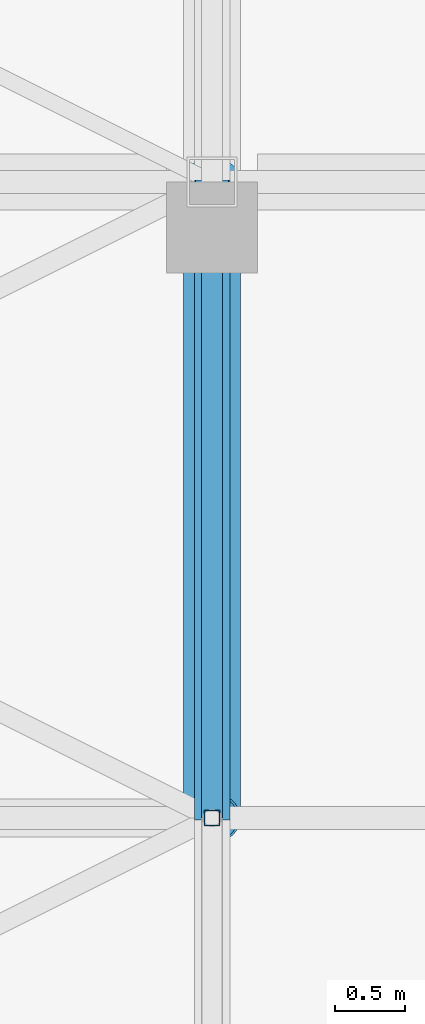
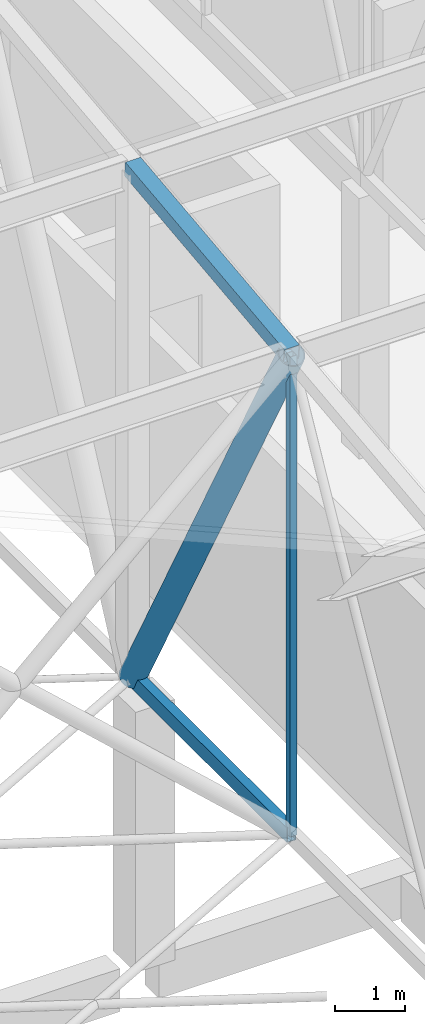
# One storey, part 112 of 500: 4 members.
"""IFC4 building model written with IfcOpenShell, lengths in metres."""

from ifc_helpers import new_model, si_unit, direction, frame, origin, origin_2d, place, context, subcontext, project, spatial, hollow_rectangle, hollow_circle, extrude, material, material_profile, profile_set, type_object, element, save


model = new_model("IFC4")

# Units and contexts
model_context = context("Model", 3, precision=1e-05, world=origin(), true_north=direction((0.0, 1.0)))
body_context = subcontext(model_context, "Body", "Model", "MODEL_VIEW")
ifc_project = project(units=[si_unit("LENGTHUNIT", "METRE"), si_unit("AREAUNIT", "SQUARE_METRE"), si_unit("VOLUMEUNIT", "CUBIC_METRE"), si_unit("PLANEANGLEUNIT", "RADIAN"), si_unit("MASSUNIT", "GRAM", prefix="KILO")], contexts=[model_context])

# Site, building, storey
site_placement = place(None, origin())
site = spatial("IfcSite", under=ifc_project, at=site_placement, CompositionType="ELEMENT")
building_placement = place(site_placement, origin())
building = spatial("IfcBuilding", under=site, at=building_placement, Name="Shirokan Park Arena", CompositionType="ELEMENT")
storey_placement = place(building_placement, frame((0.0, 0.0, 29.1201171875)))
storey = spatial("IfcBuildingStorey", under=building, at=storey_placement, Name="L06", CompositionType="ELEMENT", Elevation=29.1201171875)

# Members
ifc_material = material(Name="Steel ASTM A500 Grade C", Category="steel")
ifc_material_profile_1 = material_profile(ifc_material, hollow_rectangle(XDim=0.152099609375, YDim=0.25390625, WallThickness=0.009521484375, at=origin_2d()), Name="HSS254X152.4X9.5")
ifc_profile_set_1 = profile_set([ifc_material_profile_1], Name="Steel ASTM A500 Grade C")
member_type_1 = type_object("IfcMemberType", Name="Bottom chord HSS254X152.4X9.5", PredefinedType="CHORD", material=ifc_profile_set_1)
member_1_placement = place(storey_placement, frame((100.10009765625, 4.550048828125, 4.677001953125), z_axis=(0.0, 1.0, 0.0), x_axis=(-1.0, 0.0, 0.0)))
element("IfcMember", 1, at=member_1_placement, inside=storey, type_object=member_type_1, Name="Truss T12 bottom chord 4", PredefinedType="CHORD", context=body_context, shape_type="SweptSolid", body=[
    extrude(hollow_rectangle(XDim=0.152099609375, YDim=0.25390625, WallThickness=0.009521484375, at=origin_2d()), origin(), (0.0, 0.0, 1.0), 4.550048828125),
])
ifc_material_profile_2 = material_profile(ifc_material, hollow_rectangle(XDim=0.25390625, YDim=0.25390625, WallThickness=0.009521484375, at=origin_2d()), Name="HSS254X254X9.5")
ifc_profile_set_2 = profile_set([ifc_material_profile_2], Name="Steel ASTM A500 Grade C")
member_type_2 = type_object("IfcMemberType", Name="Top chord HSS254X254X9.5", PredefinedType="CHORD", material=ifc_profile_set_2)
member_2_placement = place(storey_placement, frame((100.10009765625, 4.550048828125, 13.061279296875), z_axis=(0.0, 0.993532328996, 0.113549598152), x_axis=(-1.0, 0.0, 0.0)))
element("IfcMember", 2, at=member_2_placement, inside=storey, type_object=member_type_2, Name="Truss T12 top chord 4", PredefinedType="CHORD", context=body_context, shape_type="SweptSolid", body=[
    extrude(hollow_rectangle(XDim=0.25390625, YDim=0.25390625, WallThickness=0.009521484375, at=origin_2d()), origin(), (0.0, 0.0, 1.0), 4.57958984375),
])
ifc_material_profile_3 = material_profile(ifc_material, hollow_circle(Radius=0.202880859375, WallThickness=0.015869140625, at=origin_2d()), Name="HSS406.4X15.9")
ifc_profile_set_3 = profile_set([ifc_material_profile_3], Name="Steel ASTM A500 Grade C")
member_type_3 = type_object("IfcMemberType", Name="Truss diagonal HSS406.4X15.9", PredefinedType="BRACE", material=ifc_profile_set_3)
member_3_placement = place(storey_placement, frame((100.10009765625, 4.550048828125, 13.061279296875), z_axis=(0.0, 0.476977206611, -0.878915663971), x_axis=(-1.0, 0.0, 0.0)))
element("IfcMember", 3, at=member_3_placement, inside=storey, type_object=member_type_3, Name="Truss T12 diagonal 4", PredefinedType="BRACE", context=body_context, shape_type="SweptSolid", body=[
    extrude(hollow_circle(Radius=0.202880859375, WallThickness=0.015869140625, at=origin_2d()), origin(), (0.0, 0.0, 1.0), 9.539306640625),
])
ifc_material_profile_4 = material_profile(ifc_material, hollow_rectangle(XDim=0.114013671875, YDim=0.114013671875, WallThickness=0.00634765625, at=origin_2d()), Name="HSS114.3X114.3X6.4")
ifc_profile_set_4 = profile_set([ifc_material_profile_4], Name="Steel ASTM A500 Grade C")
member_type_4 = type_object("IfcMemberType", Name="Truss post HSS114.3X114.3X6.4", PredefinedType="POST", material=ifc_profile_set_4)
member_4_placement = place(storey_placement, frame((100.10009765625, 4.550048828125, 4.677001953125), z_axis=(0.0, 0.0, 1.0), x_axis=(1.0, 0.0, 0.0)))
element("IfcMember", 4, at=member_4_placement, inside=storey, type_object=member_type_4, Name="Truss T12 post 4", PredefinedType="POST", context=body_context, shape_type="SweptSolid", body=[
    extrude(hollow_rectangle(XDim=0.114013671875, YDim=0.114013671875, WallThickness=0.00634765625, at=origin_2d()), origin(), (0.0, 0.0, 1.0), 8.38427734375),
])

save(model, "model.ifc")
